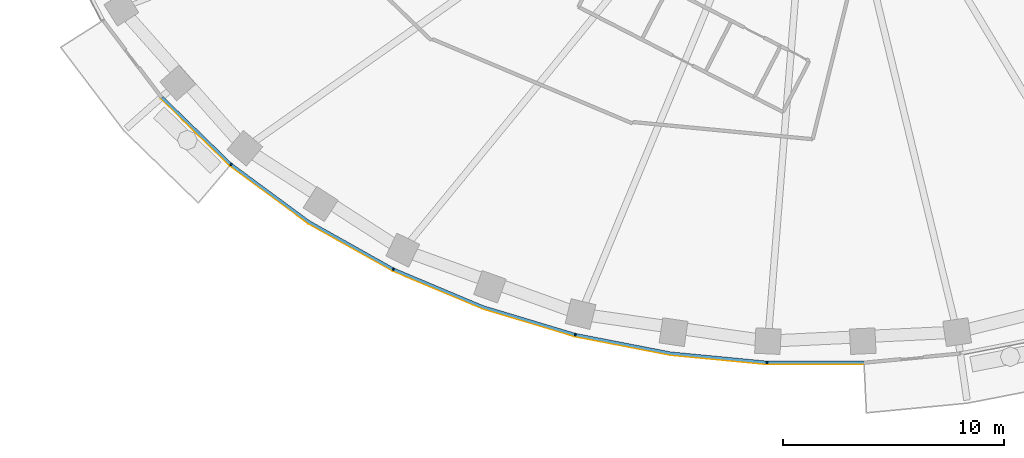
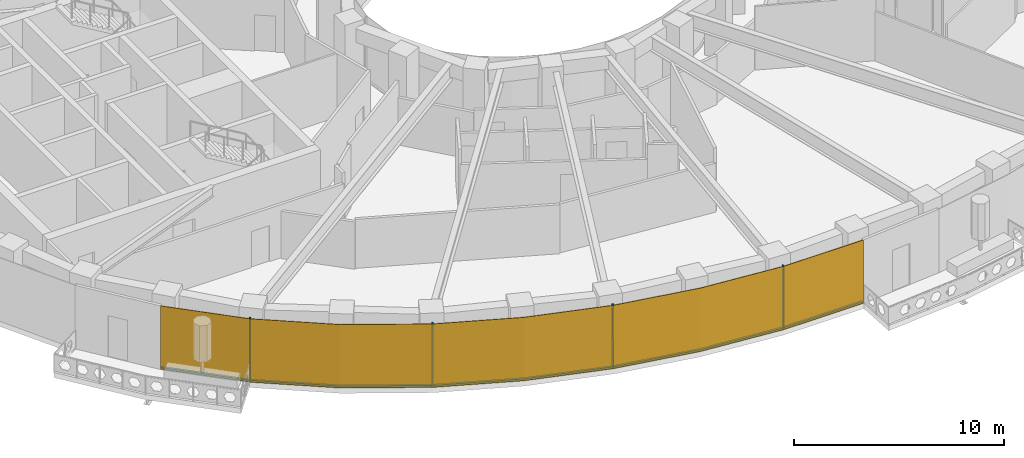
# One storey, part 8 of 16: 9 members, 1 curtain wall.
"""IFC4 building model written with IfcOpenShell, lengths in metres."""

from ifc_helpers import new_model, si_unit, direction, frame, origin, origin_2d, place, context, subcontext, project, spatial, polyline, rectangle, outline, extrude, material, layer, layer_set, material_profile, profile_set, type_object, element, aggregate, save


model = new_model("IFC4")

# Units and contexts
model_context = context("Model", 3, precision=1e-05, world=origin(), true_north=direction((0.0, 1.0)))
body_context = subcontext(model_context, "Body", "Model", "MODEL_VIEW")
ifc_project = project(units=[si_unit("LENGTHUNIT", "METRE"), si_unit("AREAUNIT", "SQUARE_METRE"), si_unit("VOLUMEUNIT", "CUBIC_METRE"), si_unit("PLANEANGLEUNIT", "RADIAN"), si_unit("MASSUNIT", "GRAM", prefix="KILO")], contexts=[model_context])

# Member
ifc_material_1 = material(Name="Aluminium 6063-T6 black anodised", Category="aluminium")
ifc_material_profile = material_profile(ifc_material_1, rectangle(XDim=0.1201171875, YDim=0.06005859375, at=origin_2d()), Name="120x60")
ifc_profile_set = profile_set([ifc_material_profile], Name="Aluminium 6063-T6 black anodised")
member_type_1 = type_object("IfcMemberType", Name="ENV-MULLION-A-120", PredefinedType="MULLION", material=ifc_profile_set)
site_placement = place(None, origin())
building_placement = place(site_placement, origin())
storey_placement = place(building_placement, frame((0.0, 0.0, 174.0)))
member_1_placement = place(storey_placement, frame((-26.403564453125, -18.9130859375, 0.0), z_axis=(0.0, 0.0, 1.0), x_axis=(0.646451313783, 0.762955240435, 0.0)))
member_1 = element("IfcMember", 1, at=member_1_placement, type_object=member_type_1, Name="Mullion A radial 29", PredefinedType="MULLION", context=body_context, shape_type="SweptSolid", body=[
    extrude(rectangle(XDim=0.1201171875, YDim=0.06005859375, at=origin_2d()), origin(), (0.0, 0.0, 1.0), 3.699951171875),
])

member_2_placement = place(storey_placement, frame((-19.06787109375, -23.6474609375, 0.0), z_axis=(0.0, 0.0, 1.0), x_axis=(0.439237769837, 0.898370848563, 0.0)))
member_2 = element("IfcMember", 2, at=member_2_placement, type_object=member_type_1, Name="Mullion A radial 31", PredefinedType="MULLION", context=body_context, shape_type="SweptSolid", body=[
    extrude(rectangle(XDim=0.1201171875, YDim=0.06005859375, at=origin_2d()), origin(), (0.0, 0.0, 1.0), 3.699951171875),
])

member_3_placement = place(storey_placement, frame((-10.84326171875, -26.60498046875, 0.0), z_axis=(0.0, 0.0, 1.0), x_axis=(0.239799081534, 0.970822538106, 0.0)))
member_3 = element("IfcMember", 3, at=member_3_placement, type_object=member_type_1, Name="Mullion A radial 33", PredefinedType="MULLION", context=body_context, shape_type="SweptSolid", body=[
    extrude(rectangle(XDim=0.1201171875, YDim=0.06005859375, at=origin_2d()), origin(), (0.0, 0.0, 1.0), 3.699951171875),
])

member_4_placement = place(storey_placement, frame((-2.188720703125, -27.856201171875, 0.0), z_axis=(0.0, 0.0, 1.0), x_axis=(0.047557873581, 0.998868484166, 0.0)))
member_4 = element("IfcMember", 4, at=member_4_placement, type_object=member_type_1, Name="Mullion A radial 35", PredefinedType="MULLION", context=body_context, shape_type="SweptSolid", body=[
    extrude(rectangle(XDim=0.1201171875, YDim=0.06005859375, at=origin_2d()), origin(), (0.0, 0.0, 1.0), 3.699951171875),
])

ifc_material_2 = material(Name="Aluminium 6063-T6 black anodised", Category="aluminium")
member_type_2 = type_object("IfcMemberType", Name="ENV-TRANSOM-A", PredefinedType="USERDEFINED", material=ifc_material_2)
member_5_placement = place(storey_placement, origin())
member_5 = element("IfcMember", 5, at=member_5_placement, type_object=member_type_2, Name="Transom A radial 28-29", ObjectType="TRANSOM", PredefinedType="USERDEFINED", context=body_context, shape_type="SweptSolid", body=[
    extrude(outline(polyline([(-29.569091796875, -15.9208984375), (-26.46240234375, -18.939208984375), (-26.384765625, -18.847412109375), (-29.47900390625, -15.841064453125), (-29.569091796875, -15.9208984375)])), origin(), (0.0, 0.0, 1.0), 0.10009765625),
])

member_6_placement = place(storey_placement, origin())
member_6 = element("IfcMember", 6, at=member_6_placement, type_object=member_type_2, Name="Transom A radial 29-31", ObjectType="TRANSOM", PredefinedType="USERDEFINED", context=body_context, shape_type="SweptSolid", body=[
    extrude(outline(polyline([(-26.419921875, -18.975341796875), (-22.9150390625, -21.556884765625), (-19.11865234375, -23.687744140625), (-19.06591796875, -23.57958984375), (-22.85009765625, -21.455810546875), (-26.342041015625, -18.883544921875), (-26.419921875, -18.975341796875)])), origin(), (0.0, 0.0, 1.0), 0.10009765625),
])

member_7_placement = place(storey_placement, origin())
member_7 = element("IfcMember", 7, at=member_7_placement, type_object=member_type_2, Name="Transom A radial 31-33", ObjectType="TRANSOM", PredefinedType="USERDEFINED", context=body_context, shape_type="SweptSolid", body=[
    extrude(outline(polyline([(-19.068359375, -23.71240234375), (-15.054443359375, -25.400146484375), (-10.884521484375, -26.655029296875), (-10.855712890625, -26.53857421875), (-15.013916015625, -25.287109375), (-19.015380859375, -23.604248046875), (-19.068359375, -23.71240234375)])), origin(), (0.0, 0.0, 1.0), 0.10009765625),
])

member_8_placement = place(storey_placement, origin())
member_8 = element("IfcMember", 8, at=member_8_placement, type_object=member_type_2, Name="Transom A radial 33-35", ObjectType="TRANSOM", PredefinedType="USERDEFINED", context=body_context, shape_type="SweptSolid", body=[
    extrude(outline(polyline([(-10.830078125, -26.66845703125), (-6.55517578125, -27.49951171875), (-2.219482421875, -27.913330078125), (-2.2138671875, -27.793212890625), (-6.537841796875, -27.380615234375), (-10.80126953125, -26.552001953125), (-10.830078125, -26.66845703125)])), origin(), (0.0, 0.0, 1.0), 0.10009765625),
])

member_9_placement = place(storey_placement, origin())
member_9 = element("IfcMember", 9, at=member_9_placement, type_object=member_type_2, Name="Transom A radial 35-36", ObjectType="TRANSOM", PredefinedType="USERDEFINED", context=body_context, shape_type="SweptSolid", body=[
    extrude(outline(polyline([(-2.163818359375, -27.916015625), (2.171630859375, -27.916015625), (2.166015625, -27.7958984375), (-2.157958984375, -27.7958984375), (-2.163818359375, -27.916015625)])), origin(), (0.0, 0.0, 1.0), 0.10009765625),
])

# Site, building, storey
site = spatial("IfcSite", under=ifc_project, at=site_placement, CompositionType="ELEMENT")
building = spatial("IfcBuilding", under=site, at=building_placement, Name="Noorbagh Ring Tower", CompositionType="ELEMENT")
storey = spatial("IfcBuildingStorey", under=building, at=storey_placement, Name="L40", CompositionType="ELEMENT", Elevation=174.0)

# Curtain wall
ifc_material_3 = material(Name="Glass dark tinted laminated", Category="glass")
ifc_layer = layer(ifc_material_3, 0.031982421875)
ifc_layer_set = layer_set([ifc_layer], Name="Glass dark tinted laminated")
curtain_wall_type = type_object("IfcCurtainWallType", Name="ENV-CW-A", PredefinedType="NOTDEFINED", material=ifc_layer_set)
curtain_wall_placement = place(storey_placement, origin())
curtain_wall = element("IfcCurtainWall", 10, at=curtain_wall_placement, inside=storey, type_object=curtain_wall_type, Name="Curtain wall A R28", PredefinedType="NOTDEFINED", context=body_context, shape_type="SweptSolid", body=[
    extrude(outline(polyline([(-29.59326171875, -15.942138671875), (-26.463134765625, -18.9833984375), (-22.9326171875, -21.583740234375), (-19.108154296875, -23.730224609375), (-15.065185546875, -25.430419921875), (-10.865234375, -26.6943359375), (-6.559814453125, -27.53125), (-2.193115234375, -27.947998046875), (2.173095703125, -27.947998046875), (2.171630859375, -27.916015625), (-2.191650390625, -27.916015625), (-6.55517578125, -27.49951171875), (-10.857666015625, -26.6630859375), (-15.054443359375, -25.400146484375), (-19.093994140625, -23.701416015625), (-22.9150390625, -21.556884765625), (-26.4423828125, -18.958740234375), (-29.569091796875, -15.9208984375), (-29.59326171875, -15.942138671875)])), origin(), (0.0, 0.0, 1.0), 3.699951171875),
])

aggregate(curtain_wall, [member_1, member_2, member_3, member_4, member_5, member_6, member_7, member_8, member_9])

save(model, "model.ifc")
